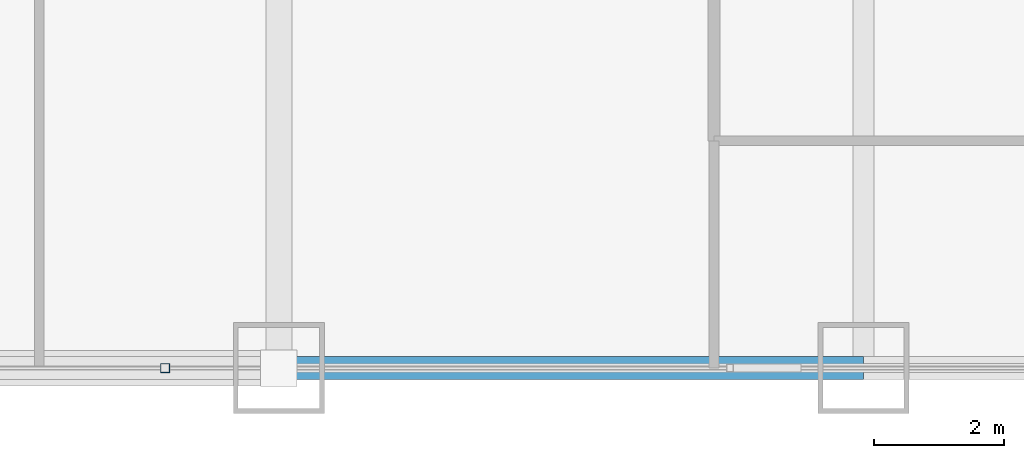
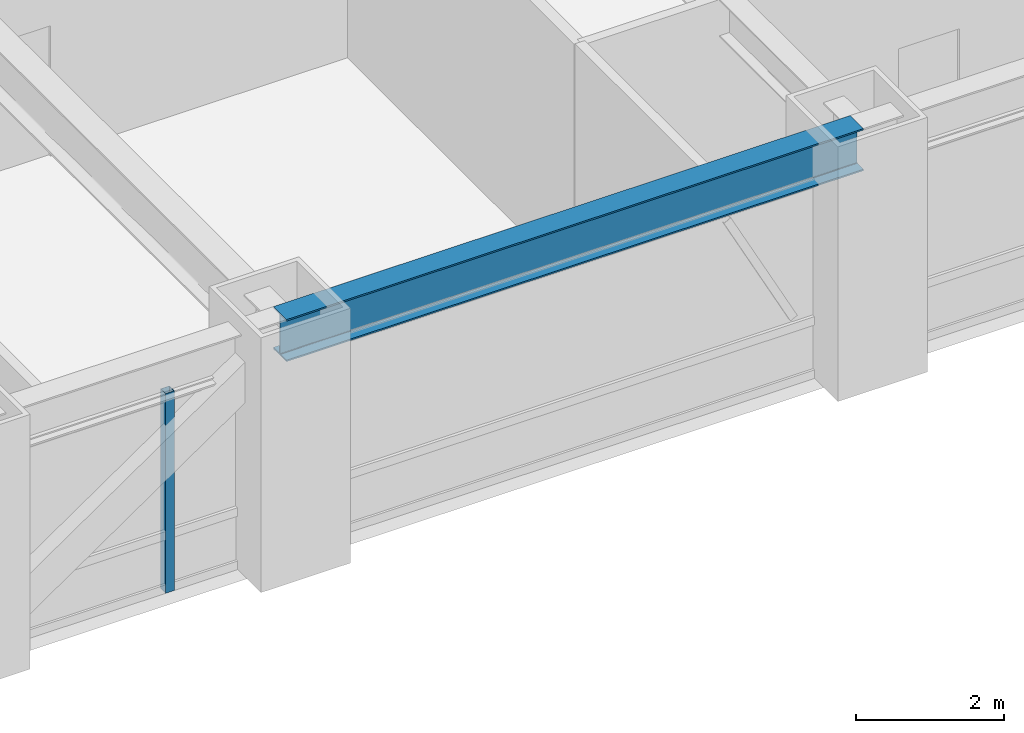
# One storey, part 8 of 28: 1 beam, 1 member, 1 element without a shape of its own.
"""IFC4 building model written with IfcOpenShell, lengths in metres."""

from ifc_helpers import new_model, si_unit, direction, frame, origin, origin_2d, place, context, subcontext, project, spatial, hollow_rectangle, i_section, extrude, source, transform, mapped, material, material_profile, profile_set, type_object, element, aggregate, save


model = new_model("IFC4")

# Units and contexts
model_context = context("Model", 3, precision=1e-05, world=origin(), true_north=direction((0.0, 1.0)))
body_context = subcontext(model_context, "Body", "Model", "MODEL_VIEW")
ifc_project = project(units=[si_unit("LENGTHUNIT", "METRE"), si_unit("AREAUNIT", "SQUARE_METRE"), si_unit("VOLUMEUNIT", "CUBIC_METRE"), si_unit("PLANEANGLEUNIT", "RADIAN"), si_unit("MASSUNIT", "GRAM", prefix="KILO")], contexts=[model_context])

# Site, building, storey
site_placement = place(None, origin())
site = spatial("IfcSite", under=ifc_project, at=site_placement, CompositionType="ELEMENT")
building_placement = place(site_placement, origin())
building = spatial("IfcBuilding", under=site, at=building_placement, Name="Khorayat Bourse Tower", CompositionType="ELEMENT")
storey_placement = place(building_placement, frame((0.0, 0.0, 57.800048828125)))
storey = spatial("IfcBuildingStorey", under=building, at=storey_placement, Name="L12", CompositionType="ELEMENT", Elevation=57.800048828125)

# Beam
ifc_material_1 = material(Name="Steel ASTM A992 Grade 50", Category="steel")
ifc_material_profile_1 = material_profile(ifc_material_1, i_section(OverallWidth=0.35498046875, OverallDepth=0.695068359375, WebThickness=0.015380859375, FlangeThickness=0.02490234375, FilletRadius=0.01806640625, at=origin_2d()), Name="W690X217")
ifc_profile_set_1 = profile_set([ifc_material_profile_1], Name="Steel ASTM A992 Grade 50")
beam_type = type_object("IfcBeamType", Name="BM-SPAN-690", PredefinedType="SPANDREL", material=ifc_profile_set_1)
shared_shape_1 = source(origin(), body_context, "Body", "SweptSolid", [
    extrude(i_section(OverallWidth=0.35498046875, OverallDepth=0.695068359375, WebThickness=0.015380859375, FlangeThickness=0.02490234375, FilletRadius=0.01806640625, at=origin_2d()), origin(), (0.0, 0.0, 1.0), 9.0),
])
beam_placement = place(storey_placement, frame((11.0, -32.0, 3.592529296875), z_axis=(1.0, 0.0, 0.0), x_axis=(0.0, 1.0, 0.0)))
element("IfcBeam", 1, at=beam_placement, inside=storey, type_object=beam_type, Name="L12 BM-SPAN-690 BM-L12-SPN-030", PredefinedType="SPANDREL", context=body_context, shape_type="MappedRepresentation", body=[
    mapped(shared_shape_1, transform((0.0, 0.0, 0.0), scale=1.0)),
])

# Curtain wall, member
ifc_material_2 = material(Name="Aluminium EN AW-6063 T6", Category="aluminium")
curtain_wall_type = type_object("IfcCurtainWallType", Name="CW-SYS-02", PredefinedType="NOTDEFINED", material=ifc_material_2)
curtain_wall_placement = place(storey_placement, origin())
curtain_wall = element("IfcCurtainWall", 2, at=curtain_wall_placement, inside=storey, type_object=curtain_wall_type, Name="L12 Curtain Wall CW-L12-S1", PredefinedType="NOTDEFINED")
ifc_material_profile_2 = material_profile(ifc_material_2, hollow_rectangle(XDim=0.139892578125, YDim=0.139892578125, WallThickness=0.006103515625, at=origin_2d()), Name="ALU 140x140x6")
ifc_profile_set_2 = profile_set([ifc_material_profile_2], Name="Aluminium EN AW-6063 T6")
member_type = type_object("IfcMemberType", Name="CWM-VERT-140", PredefinedType="MULLION", material=ifc_profile_set_2)
shared_shape_2 = source(origin(), body_context, "Body", "SweptSolid", [
    extrude(hollow_rectangle(XDim=0.139892578125, YDim=0.139892578125, WallThickness=0.006103515625, at=origin_2d()), origin(), (0.0, 0.0, 1.0), 3.2900390625),
])
member_placement = place(storey_placement, frame((9.25, -32.0, 0.0), z_axis=(0.0, 0.0, 1.0), x_axis=(0.0, 1.0, 0.0)))
member = element("IfcMember", 3, at=member_placement, type_object=member_type, Name="CW-L12-S1 Vertical Mullion 3", PredefinedType="MULLION", context=body_context, shape_type="MappedRepresentation", body=[
    mapped(shared_shape_2, transform((0.0, 0.0, 0.0), scale=1.0)),
])
aggregate(curtain_wall, [member])

save(model, "model.ifc")
